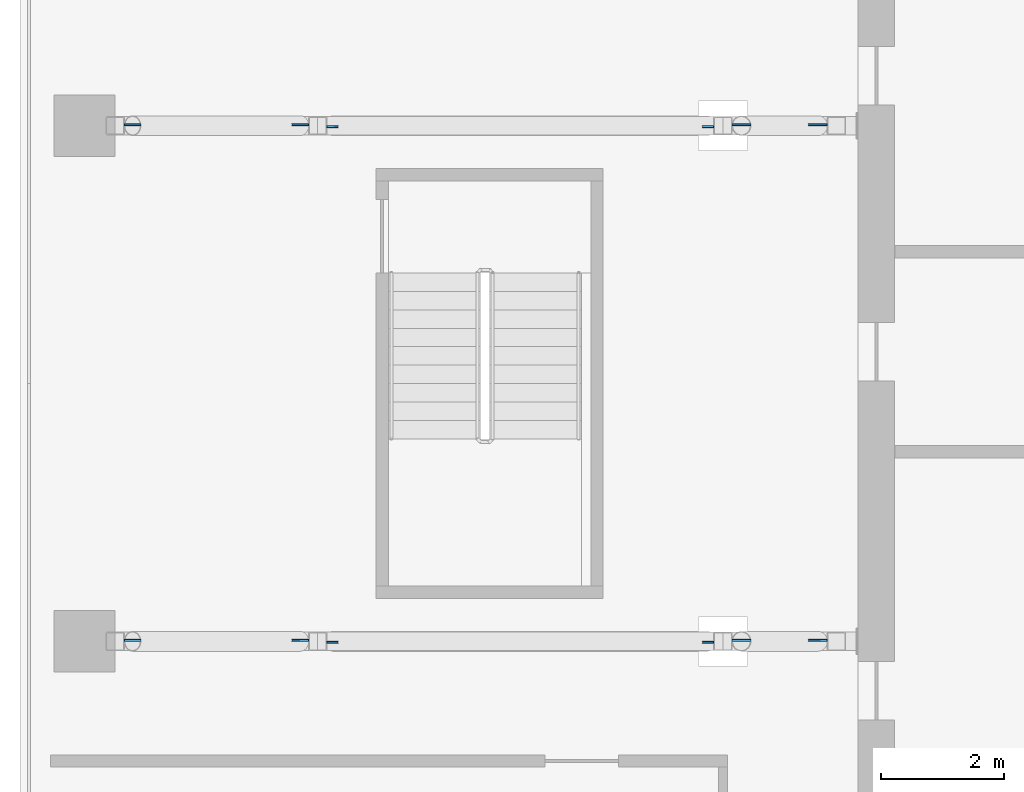
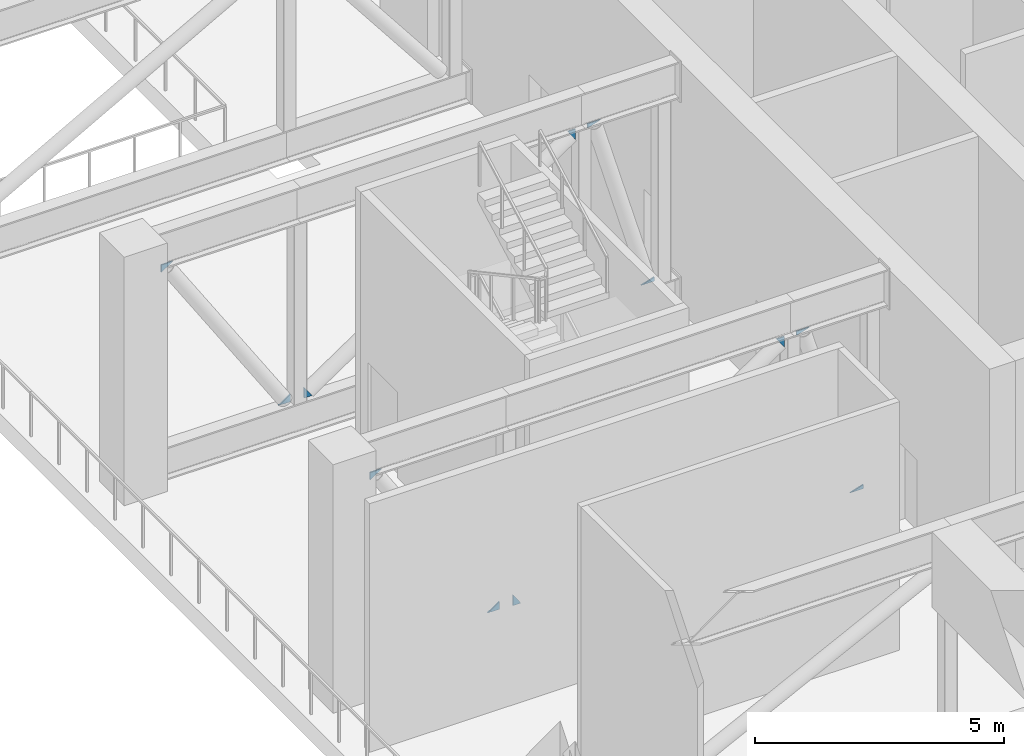
# One storey, part 12 of 24: 12 plates.
"""IFC4 building model written with IfcOpenShell, lengths in metres."""

from ifc_helpers import new_model, si_unit, direction, frame, origin, place, context, subcontext, project, spatial, polyline, outline, extrude, material, layer, layer_set, type_object, element, save


model = new_model("IFC4")

# Units and contexts
model_context = context("Model", 3, precision=1e-05, world=origin(), true_north=direction((0.0, 1.0)))
body_context = subcontext(model_context, "Body", "Model", "MODEL_VIEW")
ifc_project = project(units=[si_unit("LENGTHUNIT", "METRE"), si_unit("AREAUNIT", "SQUARE_METRE"), si_unit("VOLUMEUNIT", "CUBIC_METRE"), si_unit("PLANEANGLEUNIT", "RADIAN"), si_unit("MASSUNIT", "GRAM", prefix="KILO")], contexts=[model_context])

# Site, building, storey
site_placement = place(None, origin())
site = spatial("IfcSite", under=ifc_project, at=site_placement, CompositionType="ELEMENT")
building_placement = place(site_placement, origin())
building = spatial("IfcBuilding", under=site, at=building_placement, Name="Vermilion Ogive Tower", CompositionType="ELEMENT")
storey_placement = place(building_placement, frame((0.0, 0.0, 216.949951171875)))
storey = spatial("IfcBuildingStorey", under=building, at=storey_placement, Name="L57", CompositionType="ELEMENT", Elevation=216.949951171875)

# Plates
ifc_material = material(Name="Steel S355", Category="steel")
ifc_layer = layer(ifc_material, 0.030029296875)
ifc_layer_set = layer_set([ifc_layer], Name="Truss gusset plate 30")
plate_type = type_object("IfcPlateType", Name="Truss gusset plate 30", PredefinedType="USERDEFINED", material=ifc_layer_set)
for number, where, z_axis, x_axis, name in (
    (1, (-13.10009765625, -4.199951171875, 0.8984375), (0.0, -1.0, 0.0), (-0.952468022783, 0.0, -0.30463858189), "Gusset plate L57-TR-EWW-4.2-D0A"),
    (2, (-14.64990234375, -4.199951171875, 5.1015625), (0.0, -1.0, 0.0), (0.952468022783, 0.0, 0.30463858189), "Gusset plate L57-TR-EWW-4.2-D0B"),
):
    element("IfcPlate", number, at=place(storey_placement, frame(where, z_axis=z_axis, x_axis=x_axis)), inside=storey, type_object=plate_type, Name=name, ObjectType="GUSSET PLATE", PredefinedType="USERDEFINED", context=body_context, shape_type="SweptSolid", body=[
        extrude(outline(polyline([(0.0, 0.0), (0.32296851982621555, -1.3877787807814457e-17), (0.02997298547404947, 0.09371206376501819), (0.0, 0.0)])), origin(), (0.0, 0.0, -1.0), 0.030029296875),
    ])
plate_1_placement = place(storey_placement, frame((-14.949951171875, -4.199951171875, 4.93359375), z_axis=(0.0, 1.0, 0.0), x_axis=(-0.566496766054, 0.0, 0.824063962354)))
element("IfcPlate", 3, at=plate_1_placement, inside=storey, type_object=plate_type, Name="Gusset plate L57-TR-EWW-4.2-D1A", ObjectType="GUSSET PLATE", PredefinedType="USERDEFINED", context=body_context, shape_type="SweptSolid", body=[
    extrude(outline(polyline([(0.0, 0.0), (0.32322420836635046, 0.0), (0.2194955524726181, 0.1508906181067494), (0.0, 0.0)])), origin(), (0.0, 0.0, -1.0), 0.030029296875),
])
plate_2_placement = place(storey_placement, frame((-21.25, -4.199951171875, 1.06640625), z_axis=(0.0, 1.0, 0.0), x_axis=(0.565983506848, 0.0, -0.82441656338)))
element("IfcPlate", 4, at=plate_2_placement, inside=storey, type_object=plate_type, Name="Gusset plate L57-TR-EWW-4.2-D1B", ObjectType="GUSSET PLATE", PredefinedType="USERDEFINED", context=body_context, shape_type="SweptSolid", body=[
    extrude(outline(polyline([(0.0, 0.0), (0.3230859661321359, 0.0), (0.21958947037297524, 0.15075390770793626), (0.0, 0.0)])), origin(), (0.0, 0.0, -1.0), 0.030029296875),
])
for number, where, z_axis, x_axis, name in (
    (5, (-21.550048828125, -4.199951171875, 0.978759765625), (0.0, -1.0, 0.0), (-0.833210628215, 0.0, -0.552955738761), "Gusset plate L57-TR-EWW-4.2-D2A"),
    (6, (-24.550048828125, -4.199951171875, 5.021240234375), (0.0, -1.0, 0.0), (0.833210628215, 0.0, 0.552955738761), "Gusset plate L57-TR-EWW-4.2-D2B"),
):
    element("IfcPlate", number, at=place(storey_placement, frame(where, z_axis=z_axis, x_axis=x_axis)), inside=storey, type_object=plate_type, Name=name, ObjectType="GUSSET PLATE", PredefinedType="USERDEFINED", context=body_context, shape_type="SweptSolid", body=[
        extrude(outline(polyline([(0.0, 0.0), (0.3231921200426646, 0.0), (0.09881923847002465, 0.1489038525033295), (0.0, 0.0)])), origin(), (0.0, 0.0, -1.0), 0.030029296875),
    ])
for number, where, z_axis, x_axis, name in (
    (7, (-13.10009765625, 4.199951171875, 0.8984375), (0.0, -1.0, 0.0), (-0.952468022783, 0.0, -0.30463858189), "Gusset plate L57-TR-EWW+4.2-D0A"),
    (8, (-14.64990234375, 4.199951171875, 5.1015625), (0.0, -1.0, 0.0), (0.952468022783, 0.0, 0.30463858189), "Gusset plate L57-TR-EWW+4.2-D0B"),
):
    element("IfcPlate", number, at=place(storey_placement, frame(where, z_axis=z_axis, x_axis=x_axis)), inside=storey, type_object=plate_type, Name=name, ObjectType="GUSSET PLATE", PredefinedType="USERDEFINED", context=body_context, shape_type="SweptSolid", body=[
        extrude(outline(polyline([(0.0, 0.0), (0.32296851982621555, -1.3877787807814457e-17), (0.02997298547404947, 0.09371206376501819), (0.0, 0.0)])), origin(), (0.0, 0.0, -1.0), 0.030029296875),
    ])
plate_3_placement = place(storey_placement, frame((-14.949951171875, 4.199951171875, 4.93359375), z_axis=(0.0, 1.0, 0.0), x_axis=(-0.566496766054, 0.0, 0.824063962354)))
element("IfcPlate", 9, at=plate_3_placement, inside=storey, type_object=plate_type, Name="Gusset plate L57-TR-EWW+4.2-D1A", ObjectType="GUSSET PLATE", PredefinedType="USERDEFINED", context=body_context, shape_type="SweptSolid", body=[
    extrude(outline(polyline([(0.0, 0.0), (0.32322420836635046, 0.0), (0.2194955524726181, 0.1508906181067494), (0.0, 0.0)])), origin(), (0.0, 0.0, -1.0), 0.030029296875),
])
plate_4_placement = place(storey_placement, frame((-21.25, 4.199951171875, 1.06640625), z_axis=(0.0, 1.0, 0.0), x_axis=(0.565983506848, 0.0, -0.82441656338)))
element("IfcPlate", 10, at=plate_4_placement, inside=storey, type_object=plate_type, Name="Gusset plate L57-TR-EWW+4.2-D1B", ObjectType="GUSSET PLATE", PredefinedType="USERDEFINED", context=body_context, shape_type="SweptSolid", body=[
    extrude(outline(polyline([(0.0, 0.0), (0.3230859661321359, 0.0), (0.21958947037297524, 0.15075390770793626), (0.0, 0.0)])), origin(), (0.0, 0.0, -1.0), 0.030029296875),
])
for number, where, z_axis, x_axis, name in (
    (11, (-21.550048828125, 4.199951171875, 0.978759765625), (0.0, -1.0, 0.0), (-0.833210628215, 0.0, -0.552955738761), "Gusset plate L57-TR-EWW+4.2-D2A"),
    (12, (-24.550048828125, 4.199951171875, 5.021240234375), (0.0, -1.0, 0.0), (0.833210628215, 0.0, 0.552955738761), "Gusset plate L57-TR-EWW+4.2-D2B"),
):
    element("IfcPlate", number, at=place(storey_placement, frame(where, z_axis=z_axis, x_axis=x_axis)), inside=storey, type_object=plate_type, Name=name, ObjectType="GUSSET PLATE", PredefinedType="USERDEFINED", context=body_context, shape_type="SweptSolid", body=[
        extrude(outline(polyline([(0.0, 0.0), (0.3231921200426646, 0.0), (0.09881923847002465, 0.1489038525033295), (0.0, 0.0)])), origin(), (0.0, 0.0, -1.0), 0.030029296875),
    ])

save(model, "model.ifc")
